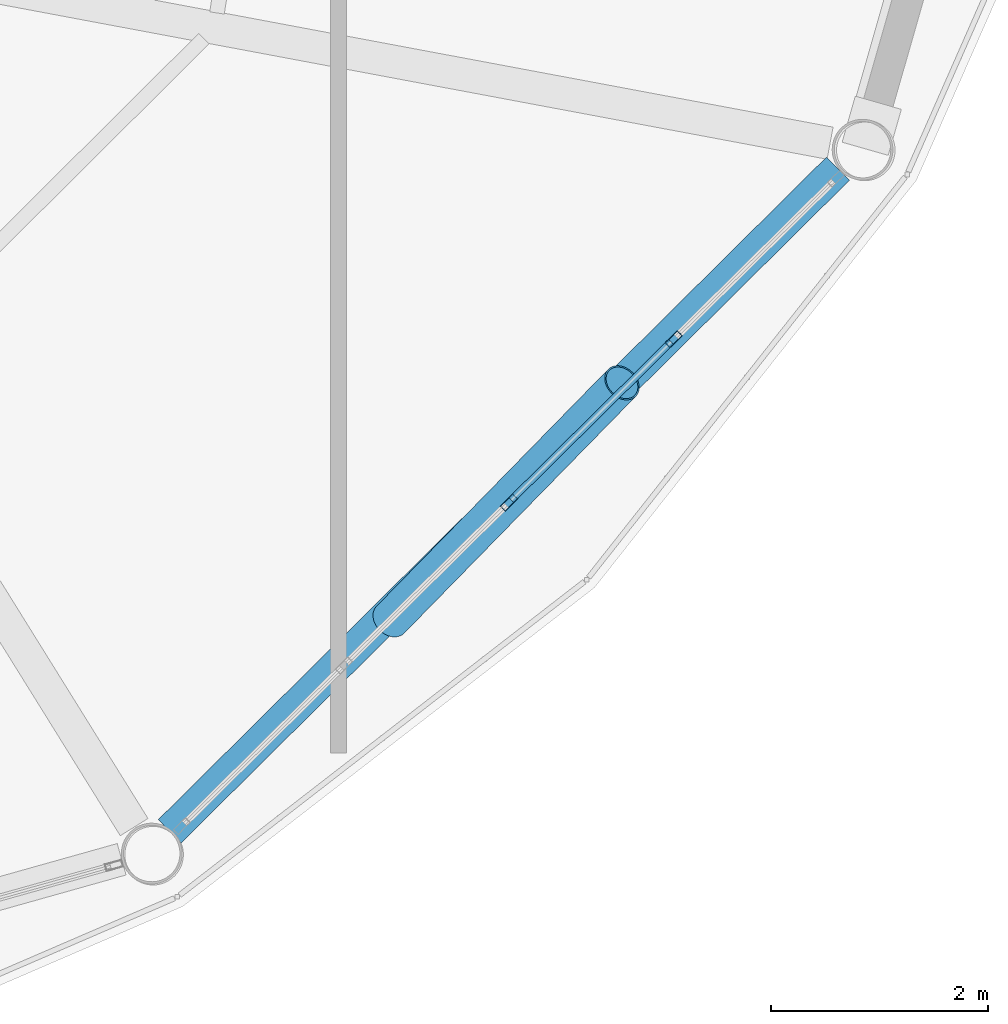
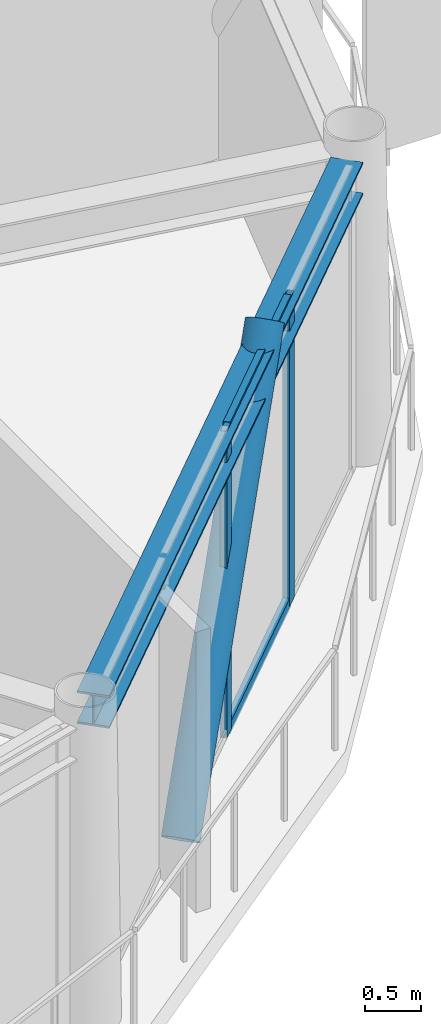
# One storey, part 8 of 24: 5 members, 1 beam, 1 element without a shape of its own.
"""IFC4 building model written with IfcOpenShell, lengths in metres."""

from ifc_helpers import new_model, si_unit, direction, frame, origin, origin_2d, place, context, subcontext, project, spatial, hollow_rectangle, hollow_circle, i_section, extrude, material, layer, layer_set, material_profile, profile_set, type_object, element, aggregate, save


model = new_model("IFC4")

# Units and contexts
model_context = context("Model", 3, precision=1e-05, world=origin(), true_north=direction((0.0, 1.0)))
body_context = subcontext(model_context, "Body", "Model", "MODEL_VIEW")
ifc_project = project(units=[si_unit("LENGTHUNIT", "METRE"), si_unit("AREAUNIT", "SQUARE_METRE"), si_unit("VOLUMEUNIT", "CUBIC_METRE"), si_unit("PLANEANGLEUNIT", "RADIAN"), si_unit("MASSUNIT", "GRAM", prefix="KILO")], contexts=[model_context])

# Site, building, storey
site_placement = place(None, origin())
site = spatial("IfcSite", under=ifc_project, at=site_placement, CompositionType="ELEMENT")
building_placement = place(site_placement, origin())
building = spatial("IfcBuilding", under=site, at=building_placement, Name="Varnakorn Sky Granary", CompositionType="ELEMENT")
storey_placement = place(building_placement, frame((0.0, 0.0, 274.199951171875)))
storey = spatial("IfcBuildingStorey", under=building, at=storey_placement, Name="L70", CompositionType="ELEMENT", Elevation=274.199951171875)

# Beam
ifc_material_1 = material(Name="Steel S355JR", Category="steel")
ifc_material_profile_1 = material_profile(ifc_material_1, i_section(OverallWidth=0.300048828125, OverallDepth=0.360107421875, WebThickness=0.012451171875, FlangeThickness=0.0224609375, at=origin_2d()), Name="HE 360 B")
ifc_profile_set_1 = profile_set([ifc_material_profile_1], Name="Steel S355JR")
beam_type = type_object("IfcBeamType", Name="BM-SPD-Z5", PredefinedType="SPANDREL", material=ifc_profile_set_1)
beam_placement = place(storey_placement, frame((13.94677734375, -15.114013671875, 3.179931640625), z_axis=(0.710104416843, 0.704096383445, 0.0), x_axis=(-0.704096383445, 0.710104416843, 0.0)))
element("IfcBeam", 1, at=beam_placement, inside=storey, type_object=beam_type, Name="Perimeter Spandrel Ring Beam RB11 L70", PredefinedType="SPANDREL", context=body_context, shape_type="SweptSolid", body=[
    extrude(i_section(OverallWidth=0.300048828125, OverallDepth=0.360107421875, WebThickness=0.012451171875, FlangeThickness=0.0224609375, at=origin_2d()), origin(), (0.0, 0.0, 1.0), 8.655517578125),
])

# Curtain wall, members
ifc_material_2 = material(Name="Anodised Bronze Aluminium Alloy 6063-T6", Category="aluminium")
ifc_layer = layer(ifc_material_2, 0.159912109375, Name="Anodised Bronze Aluminium Alloy 6063-T6")
ifc_layer_set = layer_set([ifc_layer], Name="Anodised Bronze Aluminium Alloy 6063-T6")
curtain_wall_type = type_object("IfcCurtainWallType", Name="CW-OFF-1", PredefinedType="USERDEFINED", material=ifc_layer_set)
curtain_wall_placement = place(storey_placement, origin())
curtain_wall = element("IfcCurtainWall", 2, at=curtain_wall_placement, inside=storey, type_object=curtain_wall_type, Name="Unitised Curtain Wall CW6 CW-L70-B11", ObjectType="CURTAIN WALL", PredefinedType="USERDEFINED")
ifc_material_profile_2 = material_profile(ifc_material_2, hollow_rectangle(XDim=0.06494140625, YDim=0.159912109375, WallThickness=0.00341796875, at=origin_2d()), Name="ALU MULL 65x160")
ifc_profile_set_2 = profile_set([ifc_material_profile_2], Name="Anodised Bronze Aluminium Alloy 6063-T6")
member_type_1 = type_object("IfcMemberType", Name="CW-OFF-1-MULL", PredefinedType="MULLION", material=ifc_profile_set_2)
member_1_placement = place(storey_placement, frame((18.582275390625, -10.589111328125, 0.0), z_axis=(0.0, 0.0, 1.0), x_axis=(0.703399020646, -0.710795200993, 0.0)))
member_1 = element("IfcMember", 3, at=member_1_placement, type_object=member_type_1, Name="CW6 mullion 2", PredefinedType="MULLION", context=body_context, shape_type="SweptSolid", body=[
    extrude(hollow_rectangle(XDim=0.06494140625, YDim=0.159912109375, WallThickness=0.00341796875, at=origin_2d()), origin(), (0.0, 0.0, 1.0), 3.360107421875),
])
member_2_placement = place(storey_placement, frame((17.06640625, -12.08935546875, 0.0), z_axis=(0.0, 0.0, 1.0), x_axis=(0.703399020646, -0.710795200993, 0.0)))
member_2 = element("IfcMember", 4, at=member_2_placement, type_object=member_type_1, Name="CW6 mullion 3", PredefinedType="MULLION", context=body_context, shape_type="SweptSolid", body=[
    extrude(hollow_rectangle(XDim=0.06494140625, YDim=0.159912109375, WallThickness=0.00341796875, at=origin_2d()), origin(), (0.0, 0.0, 1.0), 3.360107421875),
])
ifc_material_profile_3 = material_profile(ifc_material_2, hollow_rectangle(XDim=0.06494140625, YDim=0.1201171875, WallThickness=0.00341796875, at=origin_2d()), Name="ALU TRAN 65x120")
ifc_profile_set_3 = profile_set([ifc_material_profile_3], Name="Anodised Bronze Aluminium Alloy 6063-T6")
member_type_2 = type_object("IfcMemberType", Name="CW-OFF-1-TRAN", PredefinedType="USERDEFINED", material=ifc_profile_set_3)
member_3_placement = place(storey_placement, frame((18.559326171875, -10.61181640625, 0.032470703125), z_axis=(-0.710815769482, -0.703378235273, 0.0), x_axis=(0.703378235273, -0.710815769482, 0.0)))
member_3 = element("IfcMember", 5, at=member_3_placement, type_object=member_type_2, Name="CW6 transom 2.1", ObjectType="TRANSOM", PredefinedType="USERDEFINED", context=body_context, shape_type="SweptSolid", body=[
    extrude(hollow_rectangle(XDim=0.06494140625, YDim=0.1201171875, WallThickness=0.00341796875, at=origin_2d()), origin(), (0.0, 0.0, 1.0), 2.068115234375),
])
member_4_placement = place(storey_placement, frame((18.559326171875, -10.61181640625, 3.32763671875), z_axis=(-0.710815769482, -0.703378235273, 0.0), x_axis=(0.703378235273, -0.710815769482, 0.0)))
member_4 = element("IfcMember", 6, at=member_4_placement, type_object=member_type_2, Name="CW6 transom 2.2", ObjectType="TRANSOM", PredefinedType="USERDEFINED", context=body_context, shape_type="SweptSolid", body=[
    extrude(hollow_rectangle(XDim=0.06494140625, YDim=0.1201171875, WallThickness=0.00341796875, at=origin_2d()), origin(), (0.0, 0.0, 1.0), 2.068115234375),
])
aggregate(curtain_wall, [member_1, member_2, member_3, member_4])

# Member
ifc_material_3 = material(Name="Steel S460M", Category="steel")
ifc_material_profile_4 = material_profile(ifc_material_3, hollow_circle(Radius=0.177734375, WallThickness=0.01416015625, at=origin_2d()), Name="CHS 355.6x14")
ifc_profile_set_4 = profile_set([ifc_material_profile_4], Name="Steel S460M")
member_type_3 = type_object("IfcMemberType", Name="MB-DIAG-T5", PredefinedType="BRACE", material=ifc_profile_set_4)
member_5_placement = place(storey_placement, frame((15.97509765625, -13.169189453125, -0.1298828125), z_axis=(0.450418761618, 0.460632105045, 0.764814358511), x_axis=(-0.714988880842, 0.699135823909, 0.0)))
element("IfcMember", 7, at=member_5_placement, inside=storey, type_object=member_type_3, Name="Perimeter CHS Diagrid Brace DG11 L70", PredefinedType="BRACE", context=body_context, shape_type="SweptSolid", body=[
    extrude(hollow_circle(Radius=0.177734375, WallThickness=0.01416015625, at=origin_2d()), origin(), (0.0, 0.0, 1.0), 4.73291015625),
])

save(model, "model.ifc")
